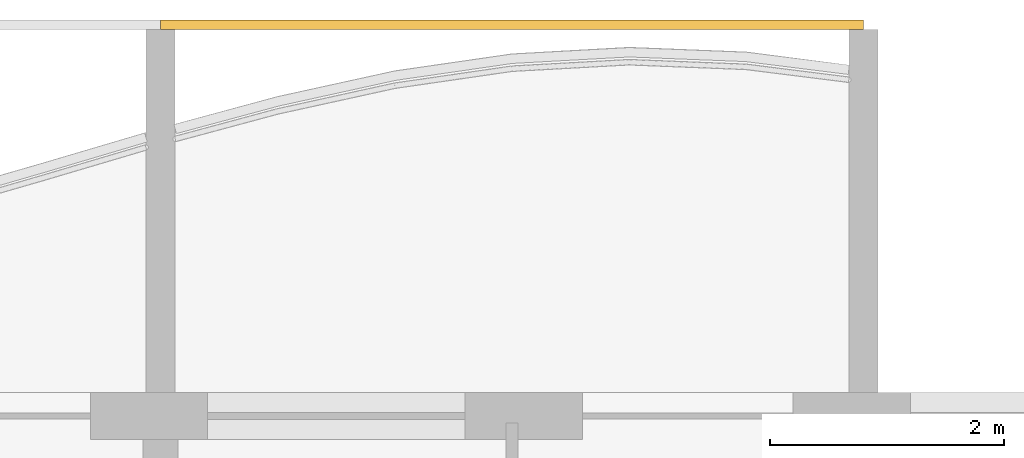
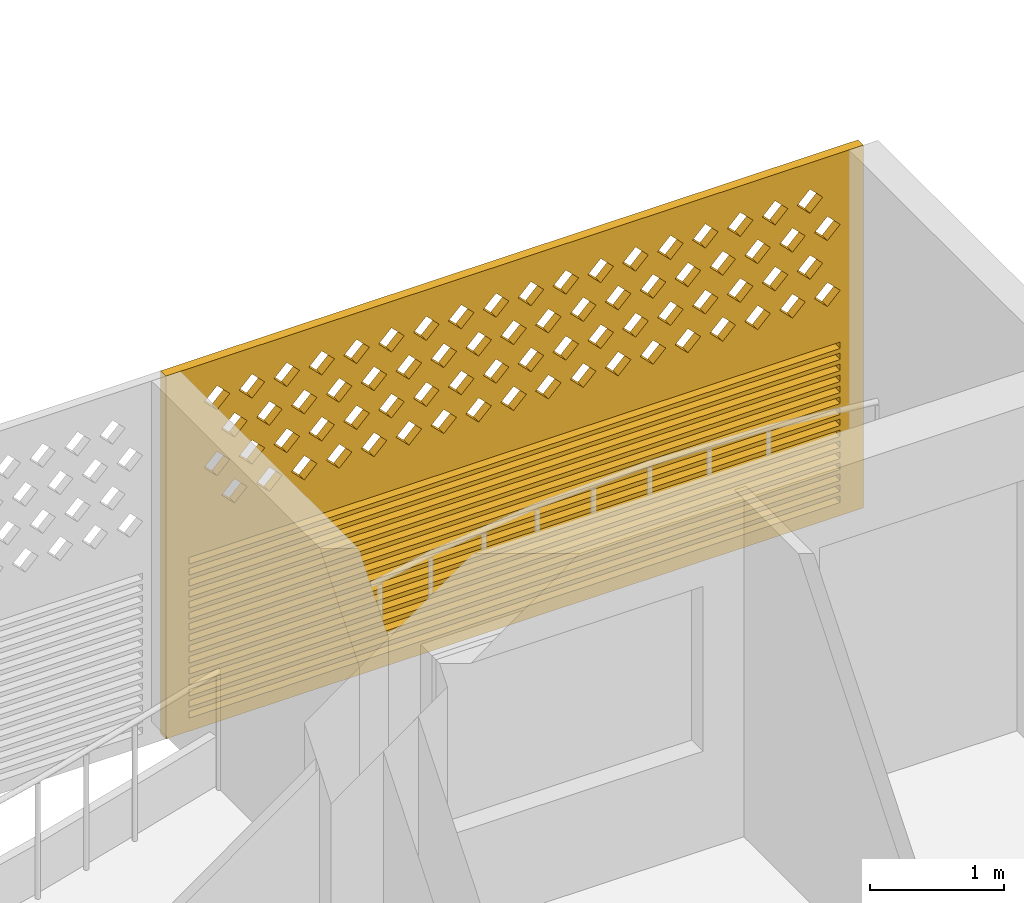
# One storey, part 24 of 32: 1 covering.
"""IFC4 building model written with IfcOpenShell, lengths in metres."""

from ifc_helpers import new_model, si_unit, direction, frame, origin, place, context, subcontext, project, spatial, polyline, outline, extrude, source, transform, mapped, material, material_profile, profile_set, type_object, element, save


model = new_model("IFC4")

# Units and contexts
model_context = context("Model", 3, precision=1e-05, world=origin(), true_north=direction((0.0, 1.0)))
body_context = subcontext(model_context, "Body", "Model", "MODEL_VIEW")
ifc_project = project(units=[si_unit("LENGTHUNIT", "METRE"), si_unit("AREAUNIT", "SQUARE_METRE"), si_unit("VOLUMEUNIT", "CUBIC_METRE"), si_unit("PLANEANGLEUNIT", "RADIAN"), si_unit("MASSUNIT", "GRAM", prefix="KILO")], contexts=[model_context])

# Site, building, storey
site_placement = place(None, origin())
site = spatial("IfcSite", under=ifc_project, at=site_placement, CompositionType="ELEMENT")
building_placement = place(site_placement, origin())
building = spatial("IfcBuilding", under=site, at=building_placement, Name="Poui Terraces", CompositionType="ELEMENT")
storey_placement = place(building_placement, frame((0.0, 0.0, 125.699951171875)))
storey = spatial("IfcBuildingStorey", under=building, at=storey_placement, Name="L34", CompositionType="ELEMENT", Elevation=125.699951171875)

# Covering
ifc_material = material(Name="Terracotta screen", Category="masonry")
ifc_material_profile = material_profile(ifc_material, outline(polyline([(-3.0, -1.64990234375), (3.0, -1.64990234375), (3.0, 1.64990234375), (-3.0, 1.64990234375), (-3.0, -1.64990234375)]), holes=[polyline([(-2.800048828125, 0.39990234375), (-2.68994140625, 0.2900390625), (-2.580078125, 0.39990234375), (-2.68994140625, 0.510009765625), (-2.800048828125, 0.39990234375)]), polyline([(-2.5, 0.39990234375), (-2.389892578125, 0.2900390625), (-2.280029296875, 0.39990234375), (-2.389892578125, 0.510009765625), (-2.5, 0.39990234375)]), polyline([(-2.199951171875, 0.39990234375), (-2.090087890625, 0.2900390625), (-1.97998046875, 0.39990234375), (-2.090087890625, 0.510009765625), (-2.199951171875, 0.39990234375)]), polyline([(-1.89990234375, 0.39990234375), (-1.7900390625, 0.2900390625), (-1.679931640625, 0.39990234375), (-1.7900390625, 0.510009765625), (-1.89990234375, 0.39990234375)]), polyline([(-1.60009765625, 0.39990234375), (-1.489990234375, 0.2900390625), (-1.3798828125, 0.39990234375), (-1.489990234375, 0.510009765625), (-1.60009765625, 0.39990234375)]), polyline([(-1.300048828125, 0.39990234375), (-1.18994140625, 0.2900390625), (-1.080078125, 0.39990234375), (-1.18994140625, 0.510009765625), (-1.300048828125, 0.39990234375)]), polyline([(-1.0, 0.39990234375), (-0.889892578125, 0.2900390625), (-0.780029296875, 0.39990234375), (-0.889892578125, 0.510009765625), (-1.0, 0.39990234375)]), polyline([(-0.699951171875, 0.39990234375), (-0.590087890625, 0.2900390625), (-0.47998046875, 0.39990234375), (-0.590087890625, 0.510009765625), (-0.699951171875, 0.39990234375)]), polyline([(-0.39990234375, 0.39990234375), (-0.2900390625, 0.2900390625), (-0.179931640625, 0.39990234375), (-0.2900390625, 0.510009765625), (-0.39990234375, 0.39990234375)]), polyline([(-0.10009765625, 0.39990234375), (0.010009765625, 0.2900390625), (0.1201171875, 0.39990234375), (0.010009765625, 0.510009765625), (-0.10009765625, 0.39990234375)]), polyline([(0.199951171875, 0.39990234375), (0.31005859375, 0.2900390625), (0.419921875, 0.39990234375), (0.31005859375, 0.510009765625), (0.199951171875, 0.39990234375)]), polyline([(0.5, 0.39990234375), (0.610107421875, 0.2900390625), (0.719970703125, 0.39990234375), (0.610107421875, 0.510009765625), (0.5, 0.39990234375)]), polyline([(0.800048828125, 0.39990234375), (0.909912109375, 0.2900390625), (1.02001953125, 0.39990234375), (0.909912109375, 0.510009765625), (0.800048828125, 0.39990234375)]), polyline([(1.10009765625, 0.39990234375), (1.2099609375, 0.2900390625), (1.320068359375, 0.39990234375), (1.2099609375, 0.510009765625), (1.10009765625, 0.39990234375)]), polyline([(1.39990234375, 0.39990234375), (1.510009765625, 0.2900390625), (1.6201171875, 0.39990234375), (1.510009765625, 0.510009765625), (1.39990234375, 0.39990234375)]), polyline([(1.699951171875, 0.39990234375), (1.81005859375, 0.2900390625), (1.919921875, 0.39990234375), (1.81005859375, 0.510009765625), (1.699951171875, 0.39990234375)]), polyline([(2.0, 0.39990234375), (2.110107421875, 0.2900390625), (2.219970703125, 0.39990234375), (2.110107421875, 0.510009765625), (2.0, 0.39990234375)]), polyline([(2.300048828125, 0.39990234375), (2.409912109375, 0.2900390625), (2.52001953125, 0.39990234375), (2.409912109375, 0.510009765625), (2.300048828125, 0.39990234375)]), polyline([(-2.64990234375, 0.699951171875), (-2.5400390625, 0.590087890625), (-2.429931640625, 0.699951171875), (-2.5400390625, 0.81005859375), (-2.64990234375, 0.699951171875)]), polyline([(-2.35009765625, 0.699951171875), (-2.239990234375, 0.590087890625), (-2.1298828125, 0.699951171875), (-2.239990234375, 0.81005859375), (-2.35009765625, 0.699951171875)]), polyline([(-2.050048828125, 0.699951171875), (-1.93994140625, 0.590087890625), (-1.830078125, 0.699951171875), (-1.93994140625, 0.81005859375), (-2.050048828125, 0.699951171875)]), polyline([(-1.75, 0.699951171875), (-1.639892578125, 0.590087890625), (-1.530029296875, 0.699951171875), (-1.639892578125, 0.81005859375), (-1.75, 0.699951171875)]), polyline([(-1.449951171875, 0.699951171875), (-1.340087890625, 0.590087890625), (-1.22998046875, 0.699951171875), (-1.340087890625, 0.81005859375), (-1.449951171875, 0.699951171875)]), polyline([(-1.14990234375, 0.699951171875), (-1.0400390625, 0.590087890625), (-0.929931640625, 0.699951171875), (-1.0400390625, 0.81005859375), (-1.14990234375, 0.699951171875)]), polyline([(-0.85009765625, 0.699951171875), (-0.739990234375, 0.590087890625), (-0.6298828125, 0.699951171875), (-0.739990234375, 0.81005859375), (-0.85009765625, 0.699951171875)]), polyline([(-0.550048828125, 0.699951171875), (-0.43994140625, 0.590087890625), (-0.330078125, 0.699951171875), (-0.43994140625, 0.81005859375), (-0.550048828125, 0.699951171875)]), polyline([(-0.25, 0.699951171875), (-0.139892578125, 0.590087890625), (-0.030029296875, 0.699951171875), (-0.139892578125, 0.81005859375), (-0.25, 0.699951171875)]), polyline([(0.050048828125, 0.699951171875), (0.159912109375, 0.590087890625), (0.27001953125, 0.699951171875), (0.159912109375, 0.81005859375), (0.050048828125, 0.699951171875)]), polyline([(0.35009765625, 0.699951171875), (0.4599609375, 0.590087890625), (0.570068359375, 0.699951171875), (0.4599609375, 0.81005859375), (0.35009765625, 0.699951171875)]), polyline([(0.64990234375, 0.699951171875), (0.760009765625, 0.590087890625), (0.8701171875, 0.699951171875), (0.760009765625, 0.81005859375), (0.64990234375, 0.699951171875)]), polyline([(0.949951171875, 0.699951171875), (1.06005859375, 0.590087890625), (1.169921875, 0.699951171875), (1.06005859375, 0.81005859375), (0.949951171875, 0.699951171875)]), polyline([(1.25, 0.699951171875), (1.360107421875, 0.590087890625), (1.469970703125, 0.699951171875), (1.360107421875, 0.81005859375), (1.25, 0.699951171875)]), polyline([(1.550048828125, 0.699951171875), (1.659912109375, 0.590087890625), (1.77001953125, 0.699951171875), (1.659912109375, 0.81005859375), (1.550048828125, 0.699951171875)]), polyline([(1.85009765625, 0.699951171875), (1.9599609375, 0.590087890625), (2.070068359375, 0.699951171875), (1.9599609375, 0.81005859375), (1.85009765625, 0.699951171875)]), polyline([(2.14990234375, 0.699951171875), (2.260009765625, 0.590087890625), (2.3701171875, 0.699951171875), (2.260009765625, 0.81005859375), (2.14990234375, 0.699951171875)]), polyline([(2.449951171875, 0.699951171875), (2.56005859375, 0.590087890625), (2.669921875, 0.699951171875), (2.56005859375, 0.81005859375), (2.449951171875, 0.699951171875)]), polyline([(-2.800048828125, 1.0), (-2.68994140625, 0.889892578125), (-2.580078125, 1.0), (-2.68994140625, 1.110107421875), (-2.800048828125, 1.0)]), polyline([(-2.5, 1.0), (-2.389892578125, 0.889892578125), (-2.280029296875, 1.0), (-2.389892578125, 1.110107421875), (-2.5, 1.0)]), polyline([(-2.199951171875, 1.0), (-2.090087890625, 0.889892578125), (-1.97998046875, 1.0), (-2.090087890625, 1.110107421875), (-2.199951171875, 1.0)]), polyline([(-1.89990234375, 1.0), (-1.7900390625, 0.889892578125), (-1.679931640625, 1.0), (-1.7900390625, 1.110107421875), (-1.89990234375, 1.0)]), polyline([(-1.60009765625, 1.0), (-1.489990234375, 0.889892578125), (-1.3798828125, 1.0), (-1.489990234375, 1.110107421875), (-1.60009765625, 1.0)]), polyline([(-1.300048828125, 1.0), (-1.18994140625, 0.889892578125), (-1.080078125, 1.0), (-1.18994140625, 1.110107421875), (-1.300048828125, 1.0)]), polyline([(-1.0, 1.0), (-0.889892578125, 0.889892578125), (-0.780029296875, 1.0), (-0.889892578125, 1.110107421875), (-1.0, 1.0)]), polyline([(-0.699951171875, 1.0), (-0.590087890625, 0.889892578125), (-0.47998046875, 1.0), (-0.590087890625, 1.110107421875), (-0.699951171875, 1.0)]), polyline([(-0.39990234375, 1.0), (-0.2900390625, 0.889892578125), (-0.179931640625, 1.0), (-0.2900390625, 1.110107421875), (-0.39990234375, 1.0)]), polyline([(-0.10009765625, 1.0), (0.010009765625, 0.889892578125), (0.1201171875, 1.0), (0.010009765625, 1.110107421875), (-0.10009765625, 1.0)]), polyline([(0.199951171875, 1.0), (0.31005859375, 0.889892578125), (0.419921875, 1.0), (0.31005859375, 1.110107421875), (0.199951171875, 1.0)]), polyline([(0.5, 1.0), (0.610107421875, 0.889892578125), (0.719970703125, 1.0), (0.610107421875, 1.110107421875), (0.5, 1.0)]), polyline([(0.800048828125, 1.0), (0.909912109375, 0.889892578125), (1.02001953125, 1.0), (0.909912109375, 1.110107421875), (0.800048828125, 1.0)]), polyline([(1.10009765625, 1.0), (1.2099609375, 0.889892578125), (1.320068359375, 1.0), (1.2099609375, 1.110107421875), (1.10009765625, 1.0)]), polyline([(1.39990234375, 1.0), (1.510009765625, 0.889892578125), (1.6201171875, 1.0), (1.510009765625, 1.110107421875), (1.39990234375, 1.0)]), polyline([(1.699951171875, 1.0), (1.81005859375, 0.889892578125), (1.919921875, 1.0), (1.81005859375, 1.110107421875), (1.699951171875, 1.0)]), polyline([(2.0, 1.0), (2.110107421875, 0.889892578125), (2.219970703125, 1.0), (2.110107421875, 1.110107421875), (2.0, 1.0)]), polyline([(2.300048828125, 1.0), (2.409912109375, 0.889892578125), (2.52001953125, 1.0), (2.409912109375, 1.110107421875), (2.300048828125, 1.0)]), polyline([(-2.64990234375, 1.300048828125), (-2.5400390625, 1.18994140625), (-2.429931640625, 1.300048828125), (-2.5400390625, 1.409912109375), (-2.64990234375, 1.300048828125)]), polyline([(-2.35009765625, 1.300048828125), (-2.239990234375, 1.18994140625), (-2.1298828125, 1.300048828125), (-2.239990234375, 1.409912109375), (-2.35009765625, 1.300048828125)]), polyline([(-2.050048828125, 1.300048828125), (-1.93994140625, 1.18994140625), (-1.830078125, 1.300048828125), (-1.93994140625, 1.409912109375), (-2.050048828125, 1.300048828125)]), polyline([(-1.75, 1.300048828125), (-1.639892578125, 1.18994140625), (-1.530029296875, 1.300048828125), (-1.639892578125, 1.409912109375), (-1.75, 1.300048828125)]), polyline([(-1.449951171875, 1.300048828125), (-1.340087890625, 1.18994140625), (-1.22998046875, 1.300048828125), (-1.340087890625, 1.409912109375), (-1.449951171875, 1.300048828125)]), polyline([(-1.14990234375, 1.300048828125), (-1.0400390625, 1.18994140625), (-0.929931640625, 1.300048828125), (-1.0400390625, 1.409912109375), (-1.14990234375, 1.300048828125)]), polyline([(-0.85009765625, 1.300048828125), (-0.739990234375, 1.18994140625), (-0.6298828125, 1.300048828125), (-0.739990234375, 1.409912109375), (-0.85009765625, 1.300048828125)]), polyline([(-0.550048828125, 1.300048828125), (-0.43994140625, 1.18994140625), (-0.330078125, 1.300048828125), (-0.43994140625, 1.409912109375), (-0.550048828125, 1.300048828125)]), polyline([(-0.25, 1.300048828125), (-0.139892578125, 1.18994140625), (-0.030029296875, 1.300048828125), (-0.139892578125, 1.409912109375), (-0.25, 1.300048828125)]), polyline([(0.050048828125, 1.300048828125), (0.159912109375, 1.18994140625), (0.27001953125, 1.300048828125), (0.159912109375, 1.409912109375), (0.050048828125, 1.300048828125)]), polyline([(0.35009765625, 1.300048828125), (0.4599609375, 1.18994140625), (0.570068359375, 1.300048828125), (0.4599609375, 1.409912109375), (0.35009765625, 1.300048828125)]), polyline([(0.64990234375, 1.300048828125), (0.760009765625, 1.18994140625), (0.8701171875, 1.300048828125), (0.760009765625, 1.409912109375), (0.64990234375, 1.300048828125)]), polyline([(0.949951171875, 1.300048828125), (1.06005859375, 1.18994140625), (1.169921875, 1.300048828125), (1.06005859375, 1.409912109375), (0.949951171875, 1.300048828125)]), polyline([(1.25, 1.300048828125), (1.360107421875, 1.18994140625), (1.469970703125, 1.300048828125), (1.360107421875, 1.409912109375), (1.25, 1.300048828125)]), polyline([(1.550048828125, 1.300048828125), (1.659912109375, 1.18994140625), (1.77001953125, 1.300048828125), (1.659912109375, 1.409912109375), (1.550048828125, 1.300048828125)]), polyline([(1.85009765625, 1.300048828125), (1.9599609375, 1.18994140625), (2.070068359375, 1.300048828125), (1.9599609375, 1.409912109375), (1.85009765625, 1.300048828125)]), polyline([(2.14990234375, 1.300048828125), (2.260009765625, 1.18994140625), (2.3701171875, 1.300048828125), (2.260009765625, 1.409912109375), (2.14990234375, 1.300048828125)]), polyline([(2.449951171875, 1.300048828125), (2.56005859375, 1.18994140625), (2.669921875, 1.300048828125), (2.56005859375, 1.409912109375), (2.449951171875, 1.300048828125)]), polyline([(-2.800048828125, -1.530029296875), (2.800048828125, -1.530029296875), (2.800048828125, -1.469970703125), (-2.800048828125, -1.469970703125), (-2.800048828125, -1.530029296875)]), polyline([(-2.800048828125, -1.429931640625), (2.800048828125, -1.429931640625), (2.800048828125, -1.3701171875), (-2.800048828125, -1.3701171875), (-2.800048828125, -1.429931640625)]), polyline([(-2.800048828125, -1.330078125), (2.800048828125, -1.330078125), (2.800048828125, -1.27001953125), (-2.800048828125, -1.27001953125), (-2.800048828125, -1.330078125)]), polyline([(-2.800048828125, -1.22998046875), (2.800048828125, -1.22998046875), (2.800048828125, -1.169921875), (-2.800048828125, -1.169921875), (-2.800048828125, -1.22998046875)]), polyline([(-2.800048828125, -1.1298828125), (2.800048828125, -1.1298828125), (2.800048828125, -1.070068359375), (-2.800048828125, -1.070068359375), (-2.800048828125, -1.1298828125)]), polyline([(-2.800048828125, -1.030029296875), (2.800048828125, -1.030029296875), (2.800048828125, -0.969970703125), (-2.800048828125, -0.969970703125), (-2.800048828125, -1.030029296875)]), polyline([(-2.800048828125, -0.929931640625), (2.800048828125, -0.929931640625), (2.800048828125, -0.8701171875), (-2.800048828125, -0.8701171875), (-2.800048828125, -0.929931640625)]), polyline([(-2.800048828125, -0.830078125), (2.800048828125, -0.830078125), (2.800048828125, -0.77001953125), (-2.800048828125, -0.77001953125), (-2.800048828125, -0.830078125)]), polyline([(-2.800048828125, -0.72998046875), (2.800048828125, -0.72998046875), (2.800048828125, -0.669921875), (-2.800048828125, -0.669921875), (-2.800048828125, -0.72998046875)]), polyline([(-2.800048828125, -0.6298828125), (2.800048828125, -0.6298828125), (2.800048828125, -0.570068359375), (-2.800048828125, -0.570068359375), (-2.800048828125, -0.6298828125)]), polyline([(-2.800048828125, -0.530029296875), (2.800048828125, -0.530029296875), (2.800048828125, -0.469970703125), (-2.800048828125, -0.469970703125), (-2.800048828125, -0.530029296875)]), polyline([(-2.800048828125, -0.429931640625), (2.800048828125, -0.429931640625), (2.800048828125, -0.3701171875), (-2.800048828125, -0.3701171875), (-2.800048828125, -0.429931640625)]), polyline([(-2.800048828125, -0.330078125), (2.800048828125, -0.330078125), (2.800048828125, -0.27001953125), (-2.800048828125, -0.27001953125), (-2.800048828125, -0.330078125)]), polyline([(-2.800048828125, -0.22998046875), (2.800048828125, -0.22998046875), (2.800048828125, -0.169921875), (-2.800048828125, -0.169921875), (-2.800048828125, -0.22998046875)]), polyline([(-2.800048828125, -0.1298828125), (2.800048828125, -0.1298828125), (2.800048828125, -0.070068359375), (-2.800048828125, -0.070068359375), (-2.800048828125, -0.1298828125)])]), Name="TERRACOTTA SCREEN AND JALOUSIE LOUVRE 6000X3300")
ifc_profile_set = profile_set([ifc_material_profile], Name="Terracotta screen")
covering_type = type_object("IfcCoveringType", Name="TERRACOTTA SCREEN AND JALOUSIE LOUVRE 6000X3300", PredefinedType="CLADDING", material=ifc_profile_set)
shared_shape = source(origin(), body_context, "Body", "SweptSolid", [
    extrude(outline(polyline([(-3.0, -1.64990234375), (3.0, -1.64990234375), (3.0, 1.64990234375), (-3.0, 1.64990234375), (-3.0, -1.64990234375)]), holes=[polyline([(-2.800048828125, 0.39990234375), (-2.68994140625, 0.2900390625), (-2.580078125, 0.39990234375), (-2.68994140625, 0.510009765625), (-2.800048828125, 0.39990234375)]), polyline([(-2.5, 0.39990234375), (-2.389892578125, 0.2900390625), (-2.280029296875, 0.39990234375), (-2.389892578125, 0.510009765625), (-2.5, 0.39990234375)]), polyline([(-2.199951171875, 0.39990234375), (-2.090087890625, 0.2900390625), (-1.97998046875, 0.39990234375), (-2.090087890625, 0.510009765625), (-2.199951171875, 0.39990234375)]), polyline([(-1.89990234375, 0.39990234375), (-1.7900390625, 0.2900390625), (-1.679931640625, 0.39990234375), (-1.7900390625, 0.510009765625), (-1.89990234375, 0.39990234375)]), polyline([(-1.60009765625, 0.39990234375), (-1.489990234375, 0.2900390625), (-1.3798828125, 0.39990234375), (-1.489990234375, 0.510009765625), (-1.60009765625, 0.39990234375)]), polyline([(-1.300048828125, 0.39990234375), (-1.18994140625, 0.2900390625), (-1.080078125, 0.39990234375), (-1.18994140625, 0.510009765625), (-1.300048828125, 0.39990234375)]), polyline([(-1.0, 0.39990234375), (-0.889892578125, 0.2900390625), (-0.780029296875, 0.39990234375), (-0.889892578125, 0.510009765625), (-1.0, 0.39990234375)]), polyline([(-0.699951171875, 0.39990234375), (-0.590087890625, 0.2900390625), (-0.47998046875, 0.39990234375), (-0.590087890625, 0.510009765625), (-0.699951171875, 0.39990234375)]), polyline([(-0.39990234375, 0.39990234375), (-0.2900390625, 0.2900390625), (-0.179931640625, 0.39990234375), (-0.2900390625, 0.510009765625), (-0.39990234375, 0.39990234375)]), polyline([(-0.10009765625, 0.39990234375), (0.010009765625, 0.2900390625), (0.1201171875, 0.39990234375), (0.010009765625, 0.510009765625), (-0.10009765625, 0.39990234375)]), polyline([(0.199951171875, 0.39990234375), (0.31005859375, 0.2900390625), (0.419921875, 0.39990234375), (0.31005859375, 0.510009765625), (0.199951171875, 0.39990234375)]), polyline([(0.5, 0.39990234375), (0.610107421875, 0.2900390625), (0.719970703125, 0.39990234375), (0.610107421875, 0.510009765625), (0.5, 0.39990234375)]), polyline([(0.800048828125, 0.39990234375), (0.909912109375, 0.2900390625), (1.02001953125, 0.39990234375), (0.909912109375, 0.510009765625), (0.800048828125, 0.39990234375)]), polyline([(1.10009765625, 0.39990234375), (1.2099609375, 0.2900390625), (1.320068359375, 0.39990234375), (1.2099609375, 0.510009765625), (1.10009765625, 0.39990234375)]), polyline([(1.39990234375, 0.39990234375), (1.510009765625, 0.2900390625), (1.6201171875, 0.39990234375), (1.510009765625, 0.510009765625), (1.39990234375, 0.39990234375)]), polyline([(1.699951171875, 0.39990234375), (1.81005859375, 0.2900390625), (1.919921875, 0.39990234375), (1.81005859375, 0.510009765625), (1.699951171875, 0.39990234375)]), polyline([(2.0, 0.39990234375), (2.110107421875, 0.2900390625), (2.219970703125, 0.39990234375), (2.110107421875, 0.510009765625), (2.0, 0.39990234375)]), polyline([(2.300048828125, 0.39990234375), (2.409912109375, 0.2900390625), (2.52001953125, 0.39990234375), (2.409912109375, 0.510009765625), (2.300048828125, 0.39990234375)]), polyline([(-2.64990234375, 0.699951171875), (-2.5400390625, 0.590087890625), (-2.429931640625, 0.699951171875), (-2.5400390625, 0.81005859375), (-2.64990234375, 0.699951171875)]), polyline([(-2.35009765625, 0.699951171875), (-2.239990234375, 0.590087890625), (-2.1298828125, 0.699951171875), (-2.239990234375, 0.81005859375), (-2.35009765625, 0.699951171875)]), polyline([(-2.050048828125, 0.699951171875), (-1.93994140625, 0.590087890625), (-1.830078125, 0.699951171875), (-1.93994140625, 0.81005859375), (-2.050048828125, 0.699951171875)]), polyline([(-1.75, 0.699951171875), (-1.639892578125, 0.590087890625), (-1.530029296875, 0.699951171875), (-1.639892578125, 0.81005859375), (-1.75, 0.699951171875)]), polyline([(-1.449951171875, 0.699951171875), (-1.340087890625, 0.590087890625), (-1.22998046875, 0.699951171875), (-1.340087890625, 0.81005859375), (-1.449951171875, 0.699951171875)]), polyline([(-1.14990234375, 0.699951171875), (-1.0400390625, 0.590087890625), (-0.929931640625, 0.699951171875), (-1.0400390625, 0.81005859375), (-1.14990234375, 0.699951171875)]), polyline([(-0.85009765625, 0.699951171875), (-0.739990234375, 0.590087890625), (-0.6298828125, 0.699951171875), (-0.739990234375, 0.81005859375), (-0.85009765625, 0.699951171875)]), polyline([(-0.550048828125, 0.699951171875), (-0.43994140625, 0.590087890625), (-0.330078125, 0.699951171875), (-0.43994140625, 0.81005859375), (-0.550048828125, 0.699951171875)]), polyline([(-0.25, 0.699951171875), (-0.139892578125, 0.590087890625), (-0.030029296875, 0.699951171875), (-0.139892578125, 0.81005859375), (-0.25, 0.699951171875)]), polyline([(0.050048828125, 0.699951171875), (0.159912109375, 0.590087890625), (0.27001953125, 0.699951171875), (0.159912109375, 0.81005859375), (0.050048828125, 0.699951171875)]), polyline([(0.35009765625, 0.699951171875), (0.4599609375, 0.590087890625), (0.570068359375, 0.699951171875), (0.4599609375, 0.81005859375), (0.35009765625, 0.699951171875)]), polyline([(0.64990234375, 0.699951171875), (0.760009765625, 0.590087890625), (0.8701171875, 0.699951171875), (0.760009765625, 0.81005859375), (0.64990234375, 0.699951171875)]), polyline([(0.949951171875, 0.699951171875), (1.06005859375, 0.590087890625), (1.169921875, 0.699951171875), (1.06005859375, 0.81005859375), (0.949951171875, 0.699951171875)]), polyline([(1.25, 0.699951171875), (1.360107421875, 0.590087890625), (1.469970703125, 0.699951171875), (1.360107421875, 0.81005859375), (1.25, 0.699951171875)]), polyline([(1.550048828125, 0.699951171875), (1.659912109375, 0.590087890625), (1.77001953125, 0.699951171875), (1.659912109375, 0.81005859375), (1.550048828125, 0.699951171875)]), polyline([(1.85009765625, 0.699951171875), (1.9599609375, 0.590087890625), (2.070068359375, 0.699951171875), (1.9599609375, 0.81005859375), (1.85009765625, 0.699951171875)]), polyline([(2.14990234375, 0.699951171875), (2.260009765625, 0.590087890625), (2.3701171875, 0.699951171875), (2.260009765625, 0.81005859375), (2.14990234375, 0.699951171875)]), polyline([(2.449951171875, 0.699951171875), (2.56005859375, 0.590087890625), (2.669921875, 0.699951171875), (2.56005859375, 0.81005859375), (2.449951171875, 0.699951171875)]), polyline([(-2.800048828125, 1.0), (-2.68994140625, 0.889892578125), (-2.580078125, 1.0), (-2.68994140625, 1.110107421875), (-2.800048828125, 1.0)]), polyline([(-2.5, 1.0), (-2.389892578125, 0.889892578125), (-2.280029296875, 1.0), (-2.389892578125, 1.110107421875), (-2.5, 1.0)]), polyline([(-2.199951171875, 1.0), (-2.090087890625, 0.889892578125), (-1.97998046875, 1.0), (-2.090087890625, 1.110107421875), (-2.199951171875, 1.0)]), polyline([(-1.89990234375, 1.0), (-1.7900390625, 0.889892578125), (-1.679931640625, 1.0), (-1.7900390625, 1.110107421875), (-1.89990234375, 1.0)]), polyline([(-1.60009765625, 1.0), (-1.489990234375, 0.889892578125), (-1.3798828125, 1.0), (-1.489990234375, 1.110107421875), (-1.60009765625, 1.0)]), polyline([(-1.300048828125, 1.0), (-1.18994140625, 0.889892578125), (-1.080078125, 1.0), (-1.18994140625, 1.110107421875), (-1.300048828125, 1.0)]), polyline([(-1.0, 1.0), (-0.889892578125, 0.889892578125), (-0.780029296875, 1.0), (-0.889892578125, 1.110107421875), (-1.0, 1.0)]), polyline([(-0.699951171875, 1.0), (-0.590087890625, 0.889892578125), (-0.47998046875, 1.0), (-0.590087890625, 1.110107421875), (-0.699951171875, 1.0)]), polyline([(-0.39990234375, 1.0), (-0.2900390625, 0.889892578125), (-0.179931640625, 1.0), (-0.2900390625, 1.110107421875), (-0.39990234375, 1.0)]), polyline([(-0.10009765625, 1.0), (0.010009765625, 0.889892578125), (0.1201171875, 1.0), (0.010009765625, 1.110107421875), (-0.10009765625, 1.0)]), polyline([(0.199951171875, 1.0), (0.31005859375, 0.889892578125), (0.419921875, 1.0), (0.31005859375, 1.110107421875), (0.199951171875, 1.0)]), polyline([(0.5, 1.0), (0.610107421875, 0.889892578125), (0.719970703125, 1.0), (0.610107421875, 1.110107421875), (0.5, 1.0)]), polyline([(0.800048828125, 1.0), (0.909912109375, 0.889892578125), (1.02001953125, 1.0), (0.909912109375, 1.110107421875), (0.800048828125, 1.0)]), polyline([(1.10009765625, 1.0), (1.2099609375, 0.889892578125), (1.320068359375, 1.0), (1.2099609375, 1.110107421875), (1.10009765625, 1.0)]), polyline([(1.39990234375, 1.0), (1.510009765625, 0.889892578125), (1.6201171875, 1.0), (1.510009765625, 1.110107421875), (1.39990234375, 1.0)]), polyline([(1.699951171875, 1.0), (1.81005859375, 0.889892578125), (1.919921875, 1.0), (1.81005859375, 1.110107421875), (1.699951171875, 1.0)]), polyline([(2.0, 1.0), (2.110107421875, 0.889892578125), (2.219970703125, 1.0), (2.110107421875, 1.110107421875), (2.0, 1.0)]), polyline([(2.300048828125, 1.0), (2.409912109375, 0.889892578125), (2.52001953125, 1.0), (2.409912109375, 1.110107421875), (2.300048828125, 1.0)]), polyline([(-2.64990234375, 1.300048828125), (-2.5400390625, 1.18994140625), (-2.429931640625, 1.300048828125), (-2.5400390625, 1.409912109375), (-2.64990234375, 1.300048828125)]), polyline([(-2.35009765625, 1.300048828125), (-2.239990234375, 1.18994140625), (-2.1298828125, 1.300048828125), (-2.239990234375, 1.409912109375), (-2.35009765625, 1.300048828125)]), polyline([(-2.050048828125, 1.300048828125), (-1.93994140625, 1.18994140625), (-1.830078125, 1.300048828125), (-1.93994140625, 1.409912109375), (-2.050048828125, 1.300048828125)]), polyline([(-1.75, 1.300048828125), (-1.639892578125, 1.18994140625), (-1.530029296875, 1.300048828125), (-1.639892578125, 1.409912109375), (-1.75, 1.300048828125)]), polyline([(-1.449951171875, 1.300048828125), (-1.340087890625, 1.18994140625), (-1.22998046875, 1.300048828125), (-1.340087890625, 1.409912109375), (-1.449951171875, 1.300048828125)]), polyline([(-1.14990234375, 1.300048828125), (-1.0400390625, 1.18994140625), (-0.929931640625, 1.300048828125), (-1.0400390625, 1.409912109375), (-1.14990234375, 1.300048828125)]), polyline([(-0.85009765625, 1.300048828125), (-0.739990234375, 1.18994140625), (-0.6298828125, 1.300048828125), (-0.739990234375, 1.409912109375), (-0.85009765625, 1.300048828125)]), polyline([(-0.550048828125, 1.300048828125), (-0.43994140625, 1.18994140625), (-0.330078125, 1.300048828125), (-0.43994140625, 1.409912109375), (-0.550048828125, 1.300048828125)]), polyline([(-0.25, 1.300048828125), (-0.139892578125, 1.18994140625), (-0.030029296875, 1.300048828125), (-0.139892578125, 1.409912109375), (-0.25, 1.300048828125)]), polyline([(0.050048828125, 1.300048828125), (0.159912109375, 1.18994140625), (0.27001953125, 1.300048828125), (0.159912109375, 1.409912109375), (0.050048828125, 1.300048828125)]), polyline([(0.35009765625, 1.300048828125), (0.4599609375, 1.18994140625), (0.570068359375, 1.300048828125), (0.4599609375, 1.409912109375), (0.35009765625, 1.300048828125)]), polyline([(0.64990234375, 1.300048828125), (0.760009765625, 1.18994140625), (0.8701171875, 1.300048828125), (0.760009765625, 1.409912109375), (0.64990234375, 1.300048828125)]), polyline([(0.949951171875, 1.300048828125), (1.06005859375, 1.18994140625), (1.169921875, 1.300048828125), (1.06005859375, 1.409912109375), (0.949951171875, 1.300048828125)]), polyline([(1.25, 1.300048828125), (1.360107421875, 1.18994140625), (1.469970703125, 1.300048828125), (1.360107421875, 1.409912109375), (1.25, 1.300048828125)]), polyline([(1.550048828125, 1.300048828125), (1.659912109375, 1.18994140625), (1.77001953125, 1.300048828125), (1.659912109375, 1.409912109375), (1.550048828125, 1.300048828125)]), polyline([(1.85009765625, 1.300048828125), (1.9599609375, 1.18994140625), (2.070068359375, 1.300048828125), (1.9599609375, 1.409912109375), (1.85009765625, 1.300048828125)]), polyline([(2.14990234375, 1.300048828125), (2.260009765625, 1.18994140625), (2.3701171875, 1.300048828125), (2.260009765625, 1.409912109375), (2.14990234375, 1.300048828125)]), polyline([(2.449951171875, 1.300048828125), (2.56005859375, 1.18994140625), (2.669921875, 1.300048828125), (2.56005859375, 1.409912109375), (2.449951171875, 1.300048828125)]), polyline([(-2.800048828125, -1.530029296875), (2.800048828125, -1.530029296875), (2.800048828125, -1.469970703125), (-2.800048828125, -1.469970703125), (-2.800048828125, -1.530029296875)]), polyline([(-2.800048828125, -1.429931640625), (2.800048828125, -1.429931640625), (2.800048828125, -1.3701171875), (-2.800048828125, -1.3701171875), (-2.800048828125, -1.429931640625)]), polyline([(-2.800048828125, -1.330078125), (2.800048828125, -1.330078125), (2.800048828125, -1.27001953125), (-2.800048828125, -1.27001953125), (-2.800048828125, -1.330078125)]), polyline([(-2.800048828125, -1.22998046875), (2.800048828125, -1.22998046875), (2.800048828125, -1.169921875), (-2.800048828125, -1.169921875), (-2.800048828125, -1.22998046875)]), polyline([(-2.800048828125, -1.1298828125), (2.800048828125, -1.1298828125), (2.800048828125, -1.070068359375), (-2.800048828125, -1.070068359375), (-2.800048828125, -1.1298828125)]), polyline([(-2.800048828125, -1.030029296875), (2.800048828125, -1.030029296875), (2.800048828125, -0.969970703125), (-2.800048828125, -0.969970703125), (-2.800048828125, -1.030029296875)]), polyline([(-2.800048828125, -0.929931640625), (2.800048828125, -0.929931640625), (2.800048828125, -0.8701171875), (-2.800048828125, -0.8701171875), (-2.800048828125, -0.929931640625)]), polyline([(-2.800048828125, -0.830078125), (2.800048828125, -0.830078125), (2.800048828125, -0.77001953125), (-2.800048828125, -0.77001953125), (-2.800048828125, -0.830078125)]), polyline([(-2.800048828125, -0.72998046875), (2.800048828125, -0.72998046875), (2.800048828125, -0.669921875), (-2.800048828125, -0.669921875), (-2.800048828125, -0.72998046875)]), polyline([(-2.800048828125, -0.6298828125), (2.800048828125, -0.6298828125), (2.800048828125, -0.570068359375), (-2.800048828125, -0.570068359375), (-2.800048828125, -0.6298828125)]), polyline([(-2.800048828125, -0.530029296875), (2.800048828125, -0.530029296875), (2.800048828125, -0.469970703125), (-2.800048828125, -0.469970703125), (-2.800048828125, -0.530029296875)]), polyline([(-2.800048828125, -0.429931640625), (2.800048828125, -0.429931640625), (2.800048828125, -0.3701171875), (-2.800048828125, -0.3701171875), (-2.800048828125, -0.429931640625)]), polyline([(-2.800048828125, -0.330078125), (2.800048828125, -0.330078125), (2.800048828125, -0.27001953125), (-2.800048828125, -0.27001953125), (-2.800048828125, -0.330078125)]), polyline([(-2.800048828125, -0.22998046875), (2.800048828125, -0.22998046875), (2.800048828125, -0.169921875), (-2.800048828125, -0.169921875), (-2.800048828125, -0.22998046875)]), polyline([(-2.800048828125, -0.1298828125), (2.800048828125, -0.1298828125), (2.800048828125, -0.070068359375), (-2.800048828125, -0.070068359375), (-2.800048828125, -0.1298828125)])]), origin(), (0.0, 0.0, 1.0), 0.080078125),
])
covering_placement = place(storey_placement, frame((39.0, 45.699951171875, 1.449951171875), z_axis=(0.0, 1.0, 0.0), x_axis=(-1.0, 0.0, 0.0)))
element("IfcCovering", 1, at=covering_placement, inside=storey, type_object=covering_type, Name="SOLAR SCREEN AND JALOUSIE LOUVRE", PredefinedType="CLADDING", context=body_context, shape_type="MappedRepresentation", body=[
    mapped(shared_shape, transform((0.0, 0.0, 0.0))),
])

save(model, "model.ifc")
